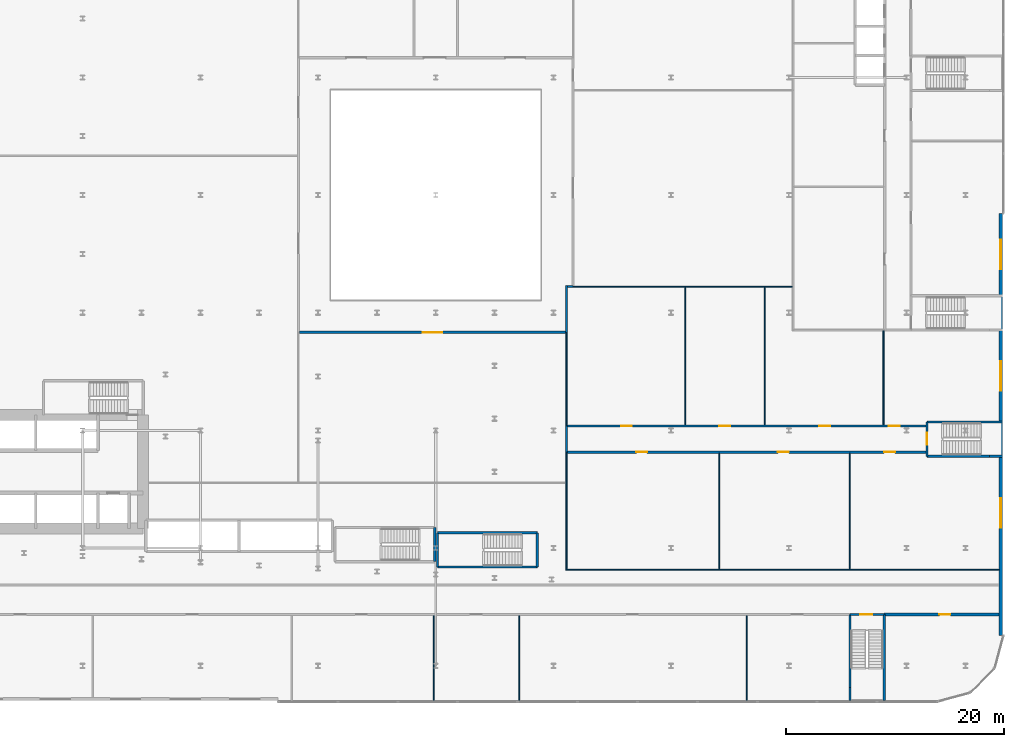
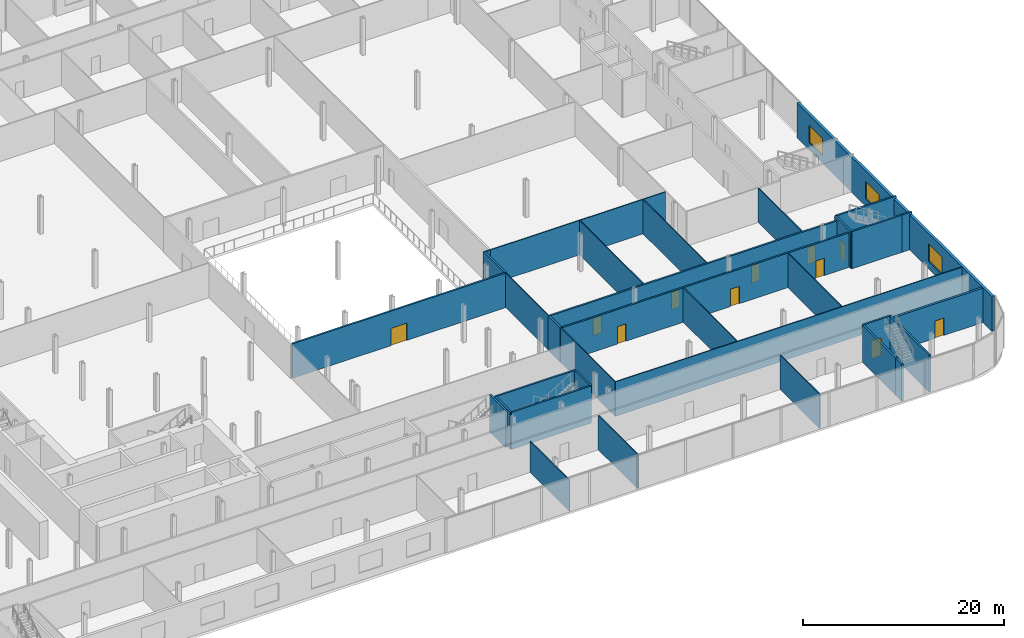
# One storey, part 32 of 47: 33 walls, 11 doors, 3 windows, 14 openings.
"""IFC4 building model written with IfcOpenShell, lengths in metres."""

from ifc_helpers import new_model, si_unit, direction, frame, frame_2d, origin, place, context, subcontext, project, spatial, rectangle, extrude, source, transform, mapped, material, layer, layer_set, type_object, element, fill, save


model = new_model("IFC4")

# Units and contexts
model_context = context("Model", 3, precision=1e-05, world=origin(), true_north=direction((0.0, 1.0)))
body_context = subcontext(model_context, "Body", "Model", "MODEL_VIEW")
ifc_project = project(units=[si_unit("LENGTHUNIT", "METRE"), si_unit("AREAUNIT", "SQUARE_METRE"), si_unit("VOLUMEUNIT", "CUBIC_METRE"), si_unit("PLANEANGLEUNIT", "RADIAN"), si_unit("MASSUNIT", "GRAM", prefix="KILO")], contexts=[model_context])

# Site, building, storey
site_placement = place(None, origin())
site = spatial("IfcSite", under=ifc_project, at=site_placement, CompositionType="ELEMENT")
building_placement = place(site_placement, origin())
building = spatial("IfcBuilding", under=site, at=building_placement, Name="Kheshtan School and Residences Tower", CompositionType="ELEMENT")
storey_placement = place(building_placement, frame((0.0, 0.0, 21.5)))
storey = spatial("IfcBuildingStorey", under=building, at=storey_placement, Name="L04", CompositionType="ELEMENT", Elevation=21.5)

# Wall, opening, door
ifc_material_1 = material(Name="Gypsum board on steel studs with fire boards", Category="steel")
ifc_layer_1 = layer(ifc_material_1, 0.199951171875)
ifc_layer_set_1 = layer_set([ifc_layer_1], Name="Corridor wall 200")
wall_type_1 = type_object("IfcWallType", Name="Corridor wall 200", PredefinedType="PARTITIONING", material=ifc_layer_set_1)
wall_1_placement = place(storey_placement, frame((67.5, 43.800048828125, 0.0), z_axis=(0.0, 0.0, 1.0), x_axis=(1.0, 0.0, 0.0)))
wall_1 = element("IfcWall", 1, at=wall_1_placement, inside=storey, type_object=wall_type_1, Name="Partition L04-032", PredefinedType="PARTITIONING", context=body_context, shape_type="SweptSolid", body=[
    extrude(rectangle(XDim=24.39990234375, YDim=0.199951171875, at=frame_2d((12.199951171875, 0.0))), origin(), (0.0, 0.0, 1.0), 4.179931640625),
])
opening_1_placement = place(wall_1_placement, frame((11.300048828125, 0.0, 0.0)))
opening_1 = element("IfcOpeningElement", 2, at=opening_1_placement, cuts=wall_1, Name="Opening D04-044", PredefinedType="OPENING", context=body_context, shape_type="SweptSolid", body=[
    extrude(rectangle(XDim=1.800048828125, YDim=2.10009765625, at=frame_2d((0.89990234375, 1.050048828125))), frame((0.0, 0.10986328125, 0.0), z_axis=(0.0, -1.0, 0.0), x_axis=(1.0, 0.0, 0.0)), (0.0, 0.0, 1.0), 0.219970703125),
])
ifc_material_2 = material(Name="Steel-framed fire-resisting door leaf", Category="steel")
door_type_1 = type_object("IfcDoorType", Name="Fire double door FD60 1800 x 2100", OperationType="DOUBLE_DOOR_SINGLE_SWING", PredefinedType="DOOR", material=ifc_material_2)
shared_shape_1 = source(origin(), body_context, "Body", "SweptSolid", [
    extrude(rectangle(XDim=1.800048828125, YDim=2.10009765625, at=frame_2d((0.89990234375, 1.050048828125))), frame((0.0, 0.02490234375, 0.0), z_axis=(0.0, -1.0, 0.0), x_axis=(1.0, 0.0, 0.0)), (0.0, 0.0, 1.0), 0.050048828125),
])
door_1_placement = place(opening_1_placement, origin())
door_1 = element("IfcDoor", 3, at=door_1_placement, inside=storey, type_object=door_type_1, Name="Door D04-044", OperationType="DOUBLE_DOOR_SINGLE_SWING", OverallHeight=2.10009765625, OverallWidth=1.800048828125, PredefinedType="DOOR", context=body_context, shape_type="MappedRepresentation", body=[
    mapped(shared_shape_1, transform((0.0, 0.0, 0.0), x_axis=(1.0, 0.0, 0.0), y_axis=(0.0, 1.0, 0.0), z_axis=(0.0, 0.0, 1.0), scale=1.0)),
])
fill(opening_1, door_1)

# Walls
wall_2_placement = place(storey_placement, frame((92.0, 32.800048828125, 0.0), z_axis=(0.0, 0.0, 1.0), x_axis=(0.0, 1.0, 0.0)))
element("IfcWall", 4, at=wall_2_placement, inside=storey, type_object=wall_type_1, Name="Partition L04-047", PredefinedType="PARTITIONING", context=body_context, shape_type="SweptSolid", body=[
    extrude(rectangle(XDim=2.39990234375, YDim=0.199951171875, at=frame_2d((1.199951171875, 0.0))), origin(), (0.0, 0.0, 1.0), 4.179931640625),
])
wall_3_placement = place(storey_placement, frame((92.0, 43.800048828125, 0.0), z_axis=(0.0, 0.0, 1.0), x_axis=(0.0, 1.0, 0.0)))
element("IfcWall", 5, at=wall_3_placement, inside=storey, type_object=wall_type_1, Name="Partition L04-049", PredefinedType="PARTITIONING", context=body_context, shape_type="SweptSolid", body=[
    extrude(rectangle(XDim=4.300048828125, YDim=0.199951171875, at=frame_2d((2.14990234375, 0.0))), origin(), (0.0, 0.0, 1.0), 4.179931640625),
])

# Wall, openings, doors
wall_4_placement = place(storey_placement, frame((92.10009765625, 32.800048828125, 0.0), z_axis=(0.0, 0.0, 1.0), x_axis=(1.0, 0.0, 0.0)))
wall_4 = element("IfcWall", 6, at=wall_4_placement, inside=storey, type_object=wall_type_1, Name="Partition L04-050", PredefinedType="PARTITIONING", context=body_context, shape_type="SweptSolid", body=[
    extrude(rectangle(XDim=32.880859375, YDim=0.199951171875, at=frame_2d((16.4404296875, 0.0))), origin(), (0.0, 0.0, 1.0), 4.179931640625),
])
opening_2_placement = place(wall_4_placement, frame((6.300048828125, 0.0, 0.0)))
opening_2 = element("IfcOpeningElement", 7, at=opening_2_placement, cuts=wall_4, Name="Opening D04-045", PredefinedType="OPENING", context=body_context, shape_type="SweptSolid", body=[
    extrude(rectangle(XDim=1.0, YDim=2.10009765625, at=frame_2d((0.5, 1.050048828125))), frame((0.0, 0.10986328125, 0.0), z_axis=(0.0, -1.0, 0.0), x_axis=(1.0, 0.0, 0.0)), (0.0, 0.0, 1.0), 0.219970703125),
])
opening_3_placement = place(wall_4_placement, frame((19.300048828125, 0.0, 0.0)))
opening_3 = element("IfcOpeningElement", 8, at=opening_3_placement, cuts=wall_4, Name="Opening D04-046", PredefinedType="OPENING", context=body_context, shape_type="SweptSolid", body=[
    extrude(rectangle(XDim=1.0, YDim=2.10009765625, at=frame_2d((0.5, 1.050048828125))), frame((0.0, 0.10986328125, 0.0), z_axis=(0.0, -1.0, 0.0), x_axis=(1.0, 0.0, 0.0)), (0.0, 0.0, 1.0), 0.219970703125),
])
opening_4_placement = place(wall_4_placement, frame((29.050048828125, 0.0, 0.0)))
opening_4 = element("IfcOpeningElement", 9, at=opening_4_placement, cuts=wall_4, Name="Opening D04-047", PredefinedType="OPENING", context=body_context, shape_type="SweptSolid", body=[
    extrude(rectangle(XDim=1.0, YDim=2.10009765625, at=frame_2d((0.5, 1.050048828125))), frame((0.0, 0.10986328125, 0.0), z_axis=(0.0, -1.0, 0.0), x_axis=(1.0, 0.0, 0.0)), (0.0, 0.0, 1.0), 0.219970703125),
])
door_type_2 = type_object("IfcDoorType", Name="Fire door FD60 1000 x 2100", OperationType="SINGLE_SWING_LEFT", PredefinedType="DOOR", material=ifc_material_2)
shared_shape_2 = source(origin(), body_context, "Body", "SweptSolid", [
    extrude(rectangle(XDim=1.0, YDim=2.10009765625, at=frame_2d((0.5, 1.050048828125))), frame((0.0, 0.02490234375, 0.0), z_axis=(0.0, -1.0, 0.0), x_axis=(1.0, 0.0, 0.0)), (0.0, 0.0, 1.0), 0.050048828125),
])
door_2_placement = place(opening_2_placement, origin())
door_2 = element("IfcDoor", 10, at=door_2_placement, inside=storey, type_object=door_type_2, Name="Door D04-045", OperationType="SINGLE_SWING_RIGHT", OverallHeight=2.10009765625, OverallWidth=1.0, PredefinedType="DOOR", context=body_context, shape_type="MappedRepresentation", body=[
    mapped(shared_shape_2, transform((0.0, 0.0, 0.0), x_axis=(1.0, 0.0, 0.0), y_axis=(0.0, 1.0, 0.0), z_axis=(0.0, 0.0, 1.0), scale=1.0)),
])
fill(opening_2, door_2)
door_3_placement = place(opening_3_placement, origin())
door_3 = element("IfcDoor", 11, at=door_3_placement, inside=storey, type_object=door_type_2, Name="Door D04-046", OperationType="SINGLE_SWING_RIGHT", OverallHeight=2.10009765625, OverallWidth=1.0, PredefinedType="DOOR", context=body_context, shape_type="MappedRepresentation", body=[
    mapped(shared_shape_2, transform((0.0, 0.0, 0.0), x_axis=(1.0, 0.0, 0.0), y_axis=(0.0, 1.0, 0.0), z_axis=(0.0, 0.0, 1.0), scale=1.0)),
])
fill(opening_3, door_3)
door_4_placement = place(opening_4_placement, origin())
door_4 = element("IfcDoor", 12, at=door_4_placement, inside=storey, type_object=door_type_2, Name="Door D04-047", OperationType="SINGLE_SWING_LEFT", OverallHeight=2.10009765625, OverallWidth=1.0, PredefinedType="DOOR", context=body_context, shape_type="MappedRepresentation", body=[
    mapped(shared_shape_2, transform((0.0, 0.0, 0.0), x_axis=(1.0, 0.0, 0.0), y_axis=(0.0, 1.0, 0.0), z_axis=(0.0, 0.0, 1.0), scale=1.0)),
])
fill(opening_4, door_4)

wall_5_placement = place(storey_placement, frame((92.10009765625, 35.199951171875, 0.0), z_axis=(0.0, 0.0, 1.0), x_axis=(1.0, 0.0, 0.0)))
wall_5 = element("IfcWall", 13, at=wall_5_placement, inside=storey, type_object=wall_type_1, Name="Partition L04-051", PredefinedType="PARTITIONING", context=body_context, shape_type="SweptSolid", body=[
    extrude(rectangle(XDim=32.8798828125, YDim=0.199951171875, at=frame_2d((16.43994140625, 0.0))), origin(), (0.0, 0.0, 1.0), 4.179931640625),
])
opening_5_placement = place(wall_5_placement, frame((4.908935546875, 0.0, 0.0)))
opening_5 = element("IfcOpeningElement", 14, at=opening_5_placement, cuts=wall_5, Name="Opening D04-048", PredefinedType="OPENING", context=body_context, shape_type="SweptSolid", body=[
    extrude(rectangle(XDim=1.0, YDim=2.10009765625, at=frame_2d((0.5, 1.050048828125))), frame((0.0, 0.10986328125, 0.0), z_axis=(0.0, -1.0, 0.0), x_axis=(1.0, 0.0, 0.0)), (0.0, 0.0, 1.0), 0.219970703125),
])
opening_6_placement = place(wall_5_placement, frame((13.931884765625, 0.0, 0.0)))
opening_6 = element("IfcOpeningElement", 15, at=opening_6_placement, cuts=wall_5, Name="Opening D04-049", PredefinedType="OPENING", context=body_context, shape_type="SweptSolid", body=[
    extrude(rectangle(XDim=1.0, YDim=2.10009765625, at=frame_2d((0.5, 1.050048828125))), frame((0.0, 0.10986328125, 0.0), z_axis=(0.0, -1.0, 0.0), x_axis=(1.0, 0.0, 0.0)), (0.0, 0.0, 1.0), 0.219970703125),
])
opening_7_placement = place(wall_5_placement, frame((23.091064453125, 0.0, 0.0)))
opening_7 = element("IfcOpeningElement", 16, at=opening_7_placement, cuts=wall_5, Name="Opening D04-050", PredefinedType="OPENING", context=body_context, shape_type="SweptSolid", body=[
    extrude(rectangle(XDim=1.0, YDim=2.10009765625, at=frame_2d((0.5, 1.050048828125))), frame((0.0, 0.10986328125, 0.0), z_axis=(0.0, -1.0, 0.0), x_axis=(1.0, 0.0, 0.0)), (0.0, 0.0, 1.0), 0.219970703125),
])
opening_8_placement = place(wall_5_placement, frame((29.47705078125, 0.0, 0.0)))
opening_8 = element("IfcOpeningElement", 17, at=opening_8_placement, cuts=wall_5, Name="Opening D04-051", PredefinedType="OPENING", context=body_context, shape_type="SweptSolid", body=[
    extrude(rectangle(XDim=1.0, YDim=2.10009765625, at=frame_2d((0.5, 1.050048828125))), frame((0.0, 0.10986328125, 0.0), z_axis=(0.0, -1.0, 0.0), x_axis=(1.0, 0.0, 0.0)), (0.0, 0.0, 1.0), 0.219970703125),
])
door_5_placement = place(opening_5_placement, origin())
door_5 = element("IfcDoor", 18, at=door_5_placement, inside=storey, type_object=door_type_2, Name="Door D04-048", OperationType="SINGLE_SWING_LEFT", OverallHeight=2.10009765625, OverallWidth=1.0, PredefinedType="DOOR", context=body_context, shape_type="MappedRepresentation", body=[
    mapped(shared_shape_2, transform((0.0, 0.0, 0.0), x_axis=(1.0, 0.0, 0.0), y_axis=(0.0, 1.0, 0.0), z_axis=(0.0, 0.0, 1.0), scale=1.0)),
])
fill(opening_5, door_5)
door_6_placement = place(opening_6_placement, origin())
door_6 = element("IfcDoor", 19, at=door_6_placement, inside=storey, type_object=door_type_2, Name="Door D04-049", OperationType="SINGLE_SWING_LEFT", OverallHeight=2.10009765625, OverallWidth=1.0, PredefinedType="DOOR", context=body_context, shape_type="MappedRepresentation", body=[
    mapped(shared_shape_2, transform((0.0, 0.0, 0.0), x_axis=(1.0, 0.0, 0.0), y_axis=(0.0, 1.0, 0.0), z_axis=(0.0, 0.0, 1.0), scale=1.0)),
])
fill(opening_6, door_6)
door_7_placement = place(opening_7_placement, origin())
door_7 = element("IfcDoor", 20, at=door_7_placement, inside=storey, type_object=door_type_2, Name="Door D04-050", OperationType="SINGLE_SWING_LEFT", OverallHeight=2.10009765625, OverallWidth=1.0, PredefinedType="DOOR", context=body_context, shape_type="MappedRepresentation", body=[
    mapped(shared_shape_2, transform((0.0, 0.0, 0.0), x_axis=(1.0, 0.0, 0.0), y_axis=(0.0, 1.0, 0.0), z_axis=(0.0, 0.0, 1.0), scale=1.0)),
])
fill(opening_7, door_7)
door_8_placement = place(opening_8_placement, origin())
door_8 = element("IfcDoor", 21, at=door_8_placement, inside=storey, type_object=door_type_2, Name="Door D04-051", OperationType="SINGLE_SWING_LEFT", OverallHeight=2.10009765625, OverallWidth=1.0, PredefinedType="DOOR", context=body_context, shape_type="MappedRepresentation", body=[
    mapped(shared_shape_2, transform((0.0, 0.0, 0.0), x_axis=(1.0, 0.0, 0.0), y_axis=(0.0, 1.0, 0.0), z_axis=(0.0, 0.0, 1.0), scale=1.0)),
])
fill(opening_8, door_8)

# Walls
wall_6_placement = place(storey_placement, frame((92.10009765625, 48.0, 0.0), z_axis=(0.0, 0.0, 1.0), x_axis=(1.0, 0.0, 0.0)))
element("IfcWall", 22, at=wall_6_placement, inside=storey, type_object=wall_type_1, Name="Partition L04-052", PredefinedType="PARTITIONING", context=body_context, shape_type="SweptSolid", body=[
    extrude(rectangle(XDim=0.5, YDim=0.199951171875, at=frame_2d((0.25, 0.0))), origin(), (0.0, 0.0, 1.0), 4.179931640625),
])
ifc_material_3 = material(Name="Gypsum board on steel studs", Category="steel")
ifc_layer_2 = layer(ifc_material_3, 0.10009765625)
ifc_layer_set_2 = layer_set([ifc_layer_2], Name="Gypsum partition 100")
wall_type_2 = type_object("IfcWallType", Name="Gypsum partition 100", PredefinedType="PARTITIONING", material=ifc_layer_set_2)
wall_7_placement = place(storey_placement, frame((79.825927734375, 10.0, 0.0), z_axis=(0.0, 0.0, 1.0), x_axis=(0.0, 1.0, 0.0)))
element("IfcWall", 23, at=wall_7_placement, inside=storey, type_object=wall_type_2, Name="Partition L04-038", PredefinedType="PARTITIONING", context=body_context, shape_type="SweptSolid", body=[
    extrude(rectangle(XDim=7.800048828125, YDim=0.10009765625, at=frame_2d((3.89990234375, 0.0))), origin(), (0.0, 0.0, 1.0), 3.782958984375),
])
wall_8_placement = place(storey_placement, frame((87.652099609375, 10.0, 0.0), z_axis=(0.0, 0.0, 1.0), x_axis=(0.0, 1.0, 0.0)))
element("IfcWall", 24, at=wall_8_placement, inside=storey, type_object=wall_type_2, Name="Partition L04-044", PredefinedType="PARTITIONING", context=body_context, shape_type="SweptSolid", body=[
    extrude(rectangle(XDim=7.800048828125, YDim=0.10009765625, at=frame_2d((3.89990234375, 0.0))), origin(), (0.0, 0.0, 1.0), 4.179931640625),
])
wall_9_placement = place(storey_placement, frame((91.949951171875, 22.0, 0.0), z_axis=(0.0, 0.0, 1.0), x_axis=(1.0, 0.0, 0.0)))
element("IfcWall", 25, at=wall_9_placement, inside=storey, type_object=wall_type_2, Name="Partition L04-045", PredefinedType="PARTITIONING", context=body_context, shape_type="SweptSolid", body=[
    extrude(rectangle(XDim=39.7509765625, YDim=0.10009765625, at=frame_2d((19.87548828125, 0.0))), origin(), (0.0, 0.0, 1.0), 4.179931640625),
])
wall_10_placement = place(storey_placement, frame((92.0, 22.050048828125, 0.0), z_axis=(0.0, 0.0, 1.0), x_axis=(0.0, 1.0, 0.0)))
element("IfcWall", 26, at=wall_10_placement, inside=storey, type_object=wall_type_2, Name="Partition L04-046", PredefinedType="PARTITIONING", context=body_context, shape_type="SweptSolid", body=[
    extrude(rectangle(XDim=10.75, YDim=0.10009765625, at=frame_2d((5.375, 0.0))), origin(), (0.0, 0.0, 1.0), 4.179931640625),
])
wall_11_placement = place(storey_placement, frame((92.0, 35.199951171875, 0.0), z_axis=(0.0, 0.0, 1.0), x_axis=(0.0, 1.0, 0.0)))
element("IfcWall", 27, at=wall_11_placement, inside=storey, type_object=wall_type_2, Name="Partition L04-048", PredefinedType="PARTITIONING", context=body_context, shape_type="SweptSolid", body=[
    extrude(rectangle(XDim=8.60009765625, YDim=0.10009765625, at=frame_2d((4.300048828125, 0.0))), origin(), (0.0, 0.0, 1.0), 4.179931640625),
])
wall_12_placement = place(storey_placement, frame((92.60009765625, 48.0, 0.0), z_axis=(0.0, 0.0, 1.0), x_axis=(1.0, 0.0, 0.0)))
element("IfcWall", 28, at=wall_12_placement, inside=storey, type_object=wall_type_2, Name="Partition L04-053", PredefinedType="PARTITIONING", context=body_context, shape_type="SweptSolid", body=[
    extrude(rectangle(XDim=20.137939453125, YDim=0.10009765625, at=frame_2d((10.06884765625, 0.0))), origin(), (0.0, 0.0, 1.0), 4.179931640625),
])
wall_13_placement = place(storey_placement, frame((102.908935546875, 35.300048828125, 0.0), z_axis=(0.0, 0.0, 1.0), x_axis=(0.0, 1.0, 0.0)))
element("IfcWall", 29, at=wall_13_placement, inside=storey, type_object=wall_type_2, Name="Partition L04-061", PredefinedType="PARTITIONING", context=body_context, shape_type="SweptSolid", body=[
    extrude(rectangle(XDim=12.64990234375, YDim=0.10009765625, at=frame_2d((6.324951171875, 0.0))), origin(), (0.0, 0.0, 1.0), 4.179931640625),
])
wall_14_placement = place(storey_placement, frame((106.0, 22.050048828125, 0.0), z_axis=(0.0, 0.0, 1.0), x_axis=(0.0, 1.0, 0.0)))
element("IfcWall", 30, at=wall_14_placement, inside=storey, type_object=wall_type_2, Name="Partition L04-062", PredefinedType="PARTITIONING", context=body_context, shape_type="SweptSolid", body=[
    extrude(rectangle(XDim=10.64990234375, YDim=0.10009765625, at=frame_2d((5.324951171875, 0.0))), origin(), (0.0, 0.0, 1.0), 4.179931640625),
])
wall_15_placement = place(storey_placement, frame((108.52197265625, 10.0, 0.0), z_axis=(0.0, 0.0, 1.0), x_axis=(0.0, 1.0, 0.0)))
element("IfcWall", 31, at=wall_15_placement, inside=storey, type_object=wall_type_2, Name="Partition L04-064", PredefinedType="PARTITIONING", context=body_context, shape_type="SweptSolid", body=[
    extrude(rectangle(XDim=7.800048828125, YDim=0.10009765625, at=frame_2d((3.89990234375, 0.0))), origin(), (0.0, 0.0, 1.0), 4.179931640625),
])
wall_16_placement = place(storey_placement, frame((110.181884765625, 35.300048828125, 0.0), z_axis=(0.0, 0.0, 1.0), x_axis=(0.0, 1.0, 0.0)))
element("IfcWall", 32, at=wall_16_placement, inside=storey, type_object=wall_type_2, Name="Partition L04-065", PredefinedType="PARTITIONING", context=body_context, shape_type="SweptSolid", body=[
    extrude(rectangle(XDim=12.64990234375, YDim=0.10009765625, at=frame_2d((6.324951171875, 0.0))), origin(), (0.0, 0.0, 1.0), 4.179931640625),
])
wall_17_placement = place(storey_placement, frame((118.0, 22.050048828125, 0.0), z_axis=(0.0, 0.0, 1.0), x_axis=(0.0, 1.0, 0.0)))
element("IfcWall", 33, at=wall_17_placement, inside=storey, type_object=wall_type_2, Name="Partition L04-074", PredefinedType="PARTITIONING", context=body_context, shape_type="SweptSolid", body=[
    extrude(rectangle(XDim=10.64990234375, YDim=0.10009765625, at=frame_2d((5.324951171875, 0.0))), origin(), (0.0, 0.0, 1.0), 4.179931640625),
])
wall_18_placement = place(storey_placement, frame((121.091064453125, 35.300048828125, 0.0), z_axis=(0.0, 0.0, 1.0), x_axis=(0.0, 1.0, 0.0)))
element("IfcWall", 34, at=wall_18_placement, inside=storey, type_object=wall_type_2, Name="Partition L04-079", PredefinedType="PARTITIONING", context=body_context, shape_type="SweptSolid", body=[
    extrude(rectangle(XDim=8.637939453125, YDim=0.10009765625, at=frame_2d((4.31884765625, 0.0))), origin(), (0.0, 0.0, 1.0), 4.179931640625),
])

# Wall, opening, door
ifc_material_4 = material(Name="Fire-board and steel stud wall with mineral wool", Category="steel")
ifc_layer_3 = layer(ifc_material_4, 0.25)
ifc_layer_set_3 = layer_set([ifc_layer_3], Name="Plant room wall 250")
wall_type_3 = type_object("IfcWallType", Name="Plant room wall 250", PredefinedType="PARTITIONING", material=ifc_layer_set_3)
wall_19_placement = place(storey_placement, frame((121.14990234375, 17.89990234375, 0.0), z_axis=(0.0, 0.0, 1.0), x_axis=(1.0, 0.0, 0.0)))
wall_19 = element("IfcWall", 35, at=wall_19_placement, inside=storey, type_object=wall_type_3, Name="Partition L04-080", PredefinedType="PARTITIONING", context=body_context, shape_type="SweptSolid", body=[
    extrude(rectangle(XDim=10.551025390625, YDim=0.25, at=frame_2d((5.275390625, 0.0))), origin(), (0.0, 0.0, 1.0), 4.179931640625),
])
opening_9_placement = place(wall_19_placement, frame((5.06494140625, 0.0, 0.0)))
opening_9 = element("IfcOpeningElement", 36, at=opening_9_placement, cuts=wall_19, Name="Opening D04-043", PredefinedType="OPENING", context=body_context, shape_type="SweptSolid", body=[
    extrude(rectangle(XDim=1.0, YDim=2.10009765625, at=frame_2d((0.5, 1.050048828125))), frame((0.0, 0.135009765625, 0.0), z_axis=(0.0, -1.0, 0.0), x_axis=(1.0, 0.0, 0.0)), (0.0, 0.0, 1.0), 0.27001953125),
])
door_type_3 = type_object("IfcDoorType", Name="Fire door FD120 1000 x 2100", OperationType="SINGLE_SWING_LEFT", PredefinedType="DOOR", material=ifc_material_2)
shared_shape_3 = source(origin(), body_context, "Body", "SweptSolid", [
    extrude(rectangle(XDim=1.0, YDim=2.10009765625, at=frame_2d((0.5, 1.050048828125))), frame((0.0, 0.02490234375, 0.0), z_axis=(0.0, -1.0, 0.0), x_axis=(1.0, 0.0, 0.0)), (0.0, 0.0, 1.0), 0.050048828125),
])
door_9_placement = place(opening_9_placement, origin())
door_9 = element("IfcDoor", 37, at=door_9_placement, inside=storey, type_object=door_type_3, Name="Door D04-043", OperationType="SINGLE_SWING_RIGHT", OverallHeight=2.10009765625, OverallWidth=1.0, PredefinedType="DOOR", context=body_context, shape_type="MappedRepresentation", body=[
    mapped(shared_shape_3, transform((0.0, 0.0, 0.0), x_axis=(1.0, 0.0, 0.0), y_axis=(0.0, 1.0, 0.0), z_axis=(0.0, 0.0, 1.0), scale=1.0)),
])
fill(opening_9, door_9)

# Wall, openings, windows
ifc_material_5 = material(Name="Concrete C40/50 with ceramic cladding and mineral wool insulation", Category="concrete")
ifc_layer_4 = layer(ifc_material_5, 0.300048828125)
ifc_layer_set_4 = layer_set([ifc_layer_4], Name="Podium external wall 300")
wall_type_4 = type_object("IfcWallType", Name="Podium external wall 300", PredefinedType="SOLIDWALL", material=ifc_layer_set_4)
wall_20_placement = place(storey_placement, frame((131.85009765625, 54.719970703125, 0.0), z_axis=(0.0, 0.0, 1.0), x_axis=(0.0, -1.0, 0.0)))
wall_20 = element("IfcWall", 38, at=wall_20_placement, inside=storey, type_object=wall_type_4, Name="Podium external wall L04 8.1", PredefinedType="SOLIDWALL", context=body_context, shape_type="SweptSolid", body=[
    extrude(rectangle(XDim=38.719970703125, YDim=0.300048828125, at=frame_2d((19.35986328125, 0.0))), origin(), (0.0, 0.0, 1.0), 4.25),
])
opening_10_placement = place(wall_20_placement, frame((2.43505859375, 0.0, 0.89990234375)))
opening_10 = element("IfcOpeningElement", 39, at=opening_10_placement, cuts=wall_20, Name="Opening WN-D", PredefinedType="OPENING", context=body_context, shape_type="SweptSolid", body=[
    extrude(rectangle(XDim=2.699951171875, YDim=2.10009765625, at=frame_2d((1.35009765625, 1.050048828125))), frame((0.0, 0.16015625, 0.0), z_axis=(0.0, -1.0, 0.0), x_axis=(1.0, 0.0, 0.0)), (0.0, 0.0, 1.0), 0.320068359375),
])
opening_11_placement = place(wall_20_placement, frame((13.580078125, 0.0, 0.89990234375)))
opening_11 = element("IfcOpeningElement", 40, at=opening_11_placement, cuts=wall_20, Name="Opening WN-D", PredefinedType="OPENING", context=body_context, shape_type="SweptSolid", body=[
    extrude(rectangle(XDim=2.699951171875, YDim=2.10009765625, at=frame_2d((1.35009765625, 1.050048828125))), frame((0.0, 0.16015625, 0.0), z_axis=(0.0, -1.0, 0.0), x_axis=(1.0, 0.0, 0.0)), (0.0, 0.0, 1.0), 0.320068359375),
])
opening_12_placement = place(wall_20_placement, frame((26.159912109375, 0.0, 0.89990234375)))
opening_12 = element("IfcOpeningElement", 41, at=opening_12_placement, cuts=wall_20, Name="Opening WN-D", PredefinedType="OPENING", context=body_context, shape_type="SweptSolid", body=[
    extrude(rectangle(XDim=2.699951171875, YDim=2.10009765625, at=frame_2d((1.35009765625, 1.050048828125))), frame((0.0, 0.16015625, 0.0), z_axis=(0.0, -1.0, 0.0), x_axis=(1.0, 0.0, 0.0)), (0.0, 0.0, 1.0), 0.320068359375),
])
ifc_material_6 = material(Name="Clear low-e glass in thermally broken aluminium frame", Category="aluminium")
window_type = type_object("IfcWindowType", Name="Window WN-D", PartitioningType="SINGLE_PANEL", PredefinedType="WINDOW", material=ifc_material_6)
shared_shape_4 = source(origin(), body_context, "Body", "SweptSolid", [
    extrude(rectangle(XDim=2.699951171875, YDim=2.10009765625, at=frame_2d((1.35009765625, 1.050048828125))), frame((0.0, 0.030029296875, 0.0), z_axis=(0.0, -1.0, 0.0), x_axis=(1.0, 0.0, 0.0)), (0.0, 0.0, 1.0), 0.06005859375),
])
window_1_placement = place(opening_10_placement, origin())
window_1 = element("IfcWindow", 42, at=window_1_placement, inside=storey, type_object=window_type, Name="Window L04 8.1.1", OverallHeight=2.10009765625, OverallWidth=2.699951171875, PartitioningType="SINGLE_PANEL", PredefinedType="WINDOW", context=body_context, shape_type="MappedRepresentation", body=[
    mapped(shared_shape_4, transform((0.0, 0.0, 0.0), x_axis=(1.0, 0.0, 0.0), y_axis=(0.0, 1.0, 0.0), z_axis=(0.0, 0.0, 1.0), scale=1.0)),
])
fill(opening_10, window_1)
window_2_placement = place(opening_11_placement, origin())
window_2 = element("IfcWindow", 43, at=window_2_placement, inside=storey, type_object=window_type, Name="Window L04 8.1.2", OverallHeight=2.10009765625, OverallWidth=2.699951171875, PartitioningType="SINGLE_PANEL", PredefinedType="WINDOW", context=body_context, shape_type="MappedRepresentation", body=[
    mapped(shared_shape_4, transform((0.0, 0.0, 0.0), x_axis=(1.0, 0.0, 0.0), y_axis=(0.0, 1.0, 0.0), z_axis=(0.0, 0.0, 1.0), scale=1.0)),
])
fill(opening_11, window_2)
window_3_placement = place(opening_12_placement, origin())
window_3 = element("IfcWindow", 44, at=window_3_placement, inside=storey, type_object=window_type, Name="Window L04 8.1.3", OverallHeight=2.10009765625, OverallWidth=2.699951171875, PartitioningType="SINGLE_PANEL", PredefinedType="WINDOW", context=body_context, shape_type="MappedRepresentation", body=[
    mapped(shared_shape_4, transform((0.0, 0.0, 0.0), x_axis=(1.0, 0.0, 0.0), y_axis=(0.0, 1.0, 0.0), z_axis=(0.0, 0.0, 1.0), scale=1.0)),
])
fill(opening_12, window_3)

# Walls
ifc_material_7 = material(Name="Concrete C40/50", Category="concrete")
ifc_layer_5 = layer(ifc_material_7, 0.199951171875)
ifc_layer_set_5 = layer_set([ifc_layer_5], Name="Stair enclosure wall 200 Concrete C40/50")
wall_type_5 = type_object("IfcWallType", Name="Stair enclosure wall 200 Concrete C40/50", PredefinedType="SHEAR", material=ifc_layer_set_5)
for number, where, z_axis, x_axis, name in (
    (45, (80.159912109375, 22.25, 0.0), (0.0, 0.0, 1.0), (1.0, 0.0, 0.0), "Stair enclosure wall ST4"),
    (46, (80.159912109375, 25.39990234375, 0.0), (0.0, 0.0, 1.0), (1.0, 0.0, 0.0), "Stair enclosure wall ST4"),
):
    element("IfcWall", number, at=place(storey_placement, frame(where, z_axis=z_axis, x_axis=x_axis)), inside=storey, type_object=wall_type_5, Name=name, PredefinedType="SHEAR", context=body_context, shape_type="SweptSolid", body=[
        extrude(rectangle(XDim=9.16015625, YDim=0.199951171875, at=frame_2d((4.580078125, 0.0))), origin(), (0.0, 0.0, 1.0), 4.5),
    ])
for number, where, z_axis, x_axis, name in (
    (47, (80.159912109375, 22.25, 0.0), (0.0, 0.0, 1.0), (0.0, 1.0, 0.0), "Stair enclosure wall ST4"),
    (48, (89.320068359375, 22.25, 0.0), (0.0, 0.0, 1.0), (0.0, 1.0, 0.0), "Stair enclosure wall ST4"),
    (49, (79.909912109375, 22.75, 0.0), (0.0, 0.0, 1.0), (0.0, 1.0, 0.0), "Stair enclosure wall ST5"),
):
    element("IfcWall", number, at=place(storey_placement, frame(where, z_axis=z_axis, x_axis=x_axis)), inside=storey, type_object=wall_type_5, Name=name, PredefinedType="SHEAR", context=body_context, shape_type="SweptSolid", body=[
        extrude(rectangle(XDim=3.14990234375, YDim=0.199951171875, at=frame_2d((1.574951171875, 0.0))), origin(), (0.0, 0.0, 1.0), 4.5),
    ])

# Wall, opening, door
wall_21_placement = place(storey_placement, frame((118.0, 17.89990234375, 0.0), z_axis=(0.0, 0.0, 1.0), x_axis=(1.0, 0.0, 0.0)))
wall_21 = element("IfcWall", 50, at=wall_21_placement, inside=storey, type_object=wall_type_5, Name="Stair enclosure wall", PredefinedType="SHEAR", context=body_context, shape_type="SweptSolid", body=[
    extrude(rectangle(XDim=3.14990234375, YDim=0.199951171875, at=frame_2d((1.574951171875, 0.0))), origin(), (0.0, 0.0, 1.0), 4.5),
])
opening_13_placement = place(wall_21_placement, frame((0.949951171875, 0.0, 0.0)))
opening_13 = element("IfcOpeningElement", 51, at=opening_13_placement, cuts=wall_21, Name="Opening SD90", PredefinedType="OPENING", context=body_context, shape_type="SweptSolid", body=[
    extrude(rectangle(XDim=1.10009765625, YDim=2.199951171875, at=frame_2d((0.550048828125, 1.10009765625))), frame((0.0, 0.10986328125, 0.0), z_axis=(0.0, -1.0, 0.0), x_axis=(1.0, 0.0, 0.0)), (0.0, 0.0, 1.0), 0.219970703125),
])
ifc_material_8 = material(Name="Steel door leaf, galvanised", Category="steel")
door_type_4 = type_object("IfcDoorType", Name="Stair door 1100 steel 90 min", OperationType="SINGLE_SWING_LEFT", PredefinedType="DOOR", material=ifc_material_8)
shared_shape_5 = source(origin(), body_context, "Body", "SweptSolid", [
    extrude(rectangle(XDim=1.10009765625, YDim=2.199951171875, at=frame_2d((0.550048828125, 1.10009765625))), frame((0.0, 0.02490234375, 0.0), z_axis=(0.0, -1.0, 0.0), x_axis=(1.0, 0.0, 0.0)), (0.0, 0.0, 1.0), 0.050048828125),
])
door_10_placement = place(opening_13_placement, origin())
door_10 = element("IfcDoor", 52, at=door_10_placement, inside=storey, type_object=door_type_4, Name="Stair door", OperationType="SINGLE_SWING_RIGHT", OverallHeight=2.199951171875, OverallWidth=1.10009765625, PredefinedType="DOOR", context=body_context, shape_type="MappedRepresentation", body=[
    mapped(shared_shape_5, transform((0.0, 0.0, 0.0), x_axis=(1.0, 0.0, 0.0), y_axis=(0.0, 1.0, 0.0), z_axis=(0.0, 0.0, 1.0), scale=1.0)),
])
fill(opening_13, door_10)

# Walls
wall_22_placement = place(storey_placement, frame((118.0, 10.0, 0.0), z_axis=(0.0, 0.0, 1.0), x_axis=(0.0, 1.0, 0.0)))
element("IfcWall", 53, at=wall_22_placement, inside=storey, type_object=wall_type_5, Name="Stair enclosure wall", PredefinedType="SHEAR", context=body_context, shape_type="SweptSolid", body=[
    extrude(rectangle(XDim=1.199951171875, YDim=0.199951171875, at=frame_2d((0.60009765625, 0.0))), origin(), (0.0, 0.0, 1.0), 4.5),
])
wall_23_placement = place(storey_placement, frame((118.0, 11.199951171875, 0.0), z_axis=(0.0, 0.0, 1.0), x_axis=(0.0, 1.0, 0.0)))
element("IfcWall", 54, at=wall_23_placement, inside=storey, type_object=wall_type_5, Name="Stair enclosure wall", PredefinedType="SHEAR", context=body_context, shape_type="SweptSolid", body=[
    extrude(rectangle(XDim=6.699951171875, YDim=0.199951171875, at=frame_2d((3.35009765625, 0.0))), origin(), (0.0, 0.0, 1.0), 4.5),
])
wall_24_placement = place(storey_placement, frame((121.14990234375, 10.0, 0.0), z_axis=(0.0, 0.0, 1.0), x_axis=(0.0, 1.0, 0.0)))
element("IfcWall", 55, at=wall_24_placement, inside=storey, type_object=wall_type_5, Name="Stair enclosure wall", PredefinedType="SHEAR", context=body_context, shape_type="SweptSolid", body=[
    extrude(rectangle(XDim=7.89990234375, YDim=0.199951171875, at=frame_2d((3.949951171875, 0.0))), origin(), (0.0, 0.0, 1.0), 4.5),
])
wall_25_placement = place(storey_placement, frame((125.080078125, 32.425048828125, 0.0), z_axis=(0.0, 0.0, 1.0), x_axis=(1.0, 0.0, 0.0)))
element("IfcWall", 56, at=wall_25_placement, inside=storey, type_object=wall_type_5, Name="Stair enclosure wall", PredefinedType="SHEAR", context=body_context, shape_type="SweptSolid", body=[
    extrude(rectangle(XDim=5.719970703125, YDim=0.199951171875, at=frame_2d((2.85986328125, 0.0))), origin(), (0.0, 0.0, 1.0), 4.5),
])
wall_26_placement = place(storey_placement, frame((130.800048828125, 32.425048828125, 0.0), z_axis=(0.0, 0.0, 1.0), x_axis=(1.0, 0.0, 0.0)))
element("IfcWall", 57, at=wall_26_placement, inside=storey, type_object=wall_type_5, Name="Stair enclosure wall", PredefinedType="SHEAR", context=body_context, shape_type="SweptSolid", body=[
    extrude(rectangle(XDim=1.199951171875, YDim=0.199951171875, at=frame_2d((0.60009765625, 0.0))), origin(), (0.0, 0.0, 1.0), 4.5),
])
wall_27_placement = place(storey_placement, frame((125.080078125, 35.574951171875, 0.0), z_axis=(0.0, 0.0, 1.0), x_axis=(1.0, 0.0, 0.0)))
element("IfcWall", 58, at=wall_27_placement, inside=storey, type_object=wall_type_5, Name="Stair enclosure wall", PredefinedType="SHEAR", context=body_context, shape_type="SweptSolid", body=[
    extrude(rectangle(XDim=6.919921875, YDim=0.199951171875, at=frame_2d((3.4599609375, 0.0))), origin(), (0.0, 0.0, 1.0), 4.5),
])

# Wall, opening, door
wall_28_placement = place(storey_placement, frame((125.080078125, 32.425048828125, 0.0), z_axis=(0.0, 0.0, 1.0), x_axis=(0.0, 1.0, 0.0)))
wall_28 = element("IfcWall", 59, at=wall_28_placement, inside=storey, type_object=wall_type_5, Name="Stair enclosure wall", PredefinedType="SHEAR", context=body_context, shape_type="SweptSolid", body=[
    extrude(rectangle(XDim=3.14990234375, YDim=0.199951171875, at=frame_2d((1.574951171875, 0.0))), origin(), (0.0, 0.0, 1.0), 4.5),
])
opening_14_placement = place(wall_28_placement, frame((1.074951171875, 0.0, 0.0)))
opening_14 = element("IfcOpeningElement", 60, at=opening_14_placement, cuts=wall_28, Name="Opening SD90", PredefinedType="OPENING", context=body_context, shape_type="SweptSolid", body=[
    extrude(rectangle(XDim=1.10009765625, YDim=2.199951171875, at=frame_2d((0.550048828125, 1.10009765625))), frame((0.0, 0.10986328125, 0.0), z_axis=(0.0, -1.0, 0.0), x_axis=(1.0, 0.0, 0.0)), (0.0, 0.0, 1.0), 0.219970703125),
])
door_11_placement = place(opening_14_placement, origin())
door_11 = element("IfcDoor", 61, at=door_11_placement, inside=storey, type_object=door_type_4, Name="Stair door", OperationType="SINGLE_SWING_LEFT", OverallHeight=2.199951171875, OverallWidth=1.10009765625, PredefinedType="DOOR", context=body_context, shape_type="MappedRepresentation", body=[
    mapped(shared_shape_5, transform((0.0, 0.0, 0.0), x_axis=(1.0, 0.0, 0.0), y_axis=(0.0, 1.0, 0.0), z_axis=(0.0, 0.0, 1.0), scale=1.0)),
])
fill(opening_14, door_11)

save(model, "model.ifc")
